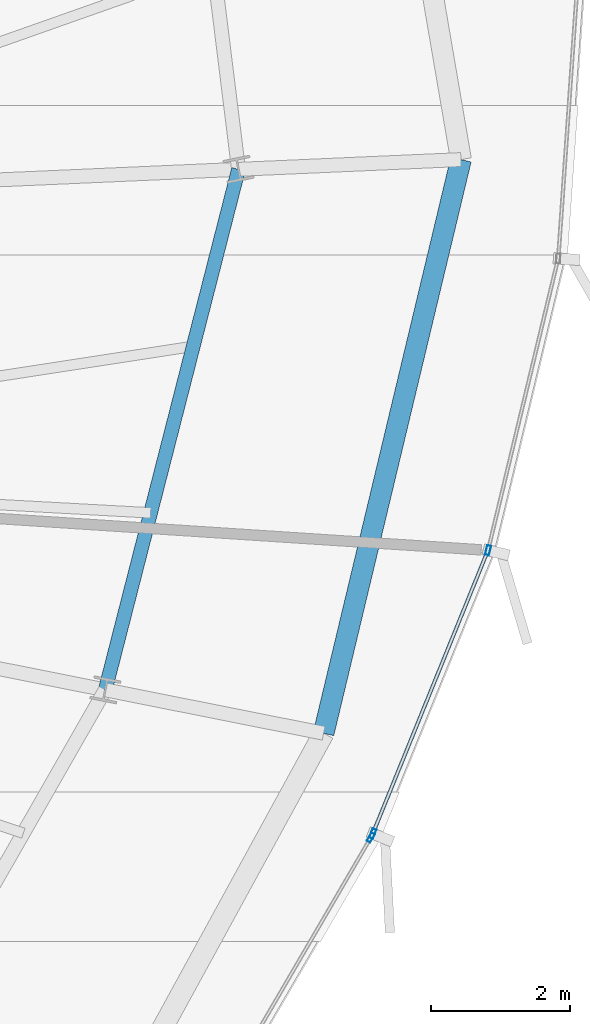
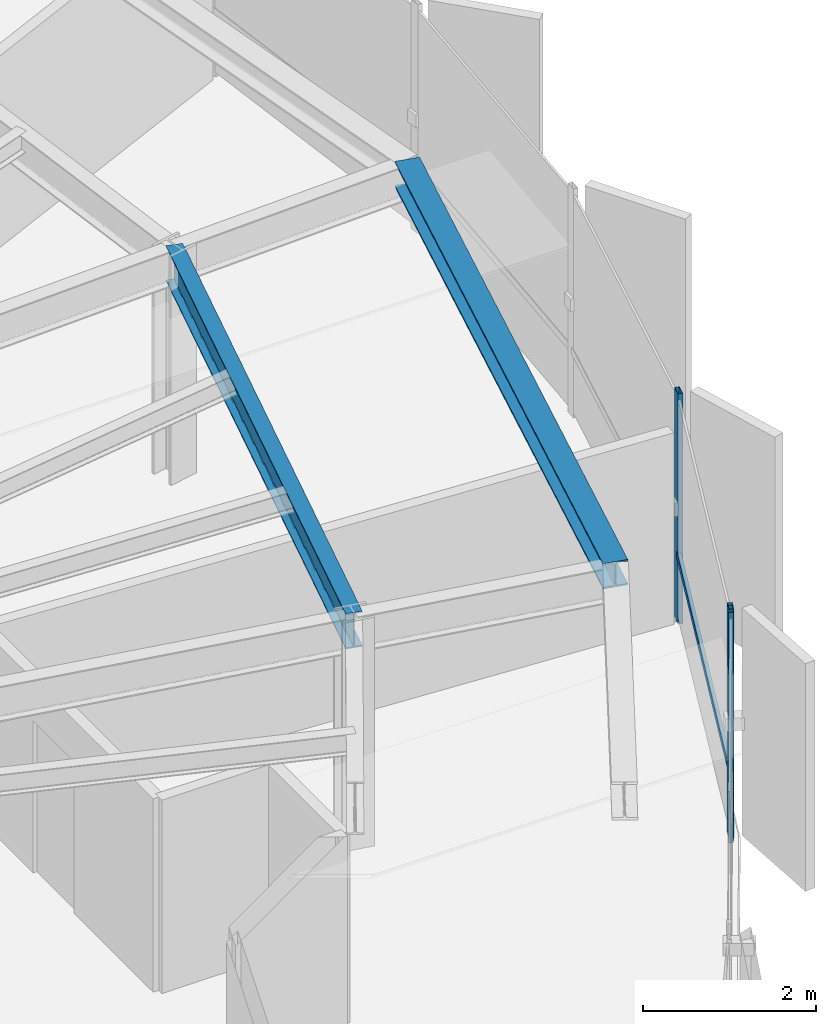
# One storey, part 17 of 35: 4 members, 2 beams, 2 elements without a shape of their own.
"""IFC4 building model written with IfcOpenShell, lengths in metres."""

from ifc_helpers import new_model, si_unit, direction, frame, origin, origin_2d, place, context, subcontext, project, spatial, hollow_rectangle, i_section, extrude, source, transform, mapped, material, layer, layer_set, material_profile, profile_set, type_object, element, aggregate, save


model = new_model("IFC4")

# Units and contexts
model_context = context("Model", 3, precision=1e-05, world=origin(), true_north=direction((0.0, 1.0)))
body_context = subcontext(model_context, "Body", "Model", "MODEL_VIEW")
ifc_project = project(units=[si_unit("LENGTHUNIT", "METRE"), si_unit("AREAUNIT", "SQUARE_METRE"), si_unit("VOLUMEUNIT", "CUBIC_METRE"), si_unit("PLANEANGLEUNIT", "RADIAN"), si_unit("MASSUNIT", "GRAM", prefix="KILO"), si_unit("THERMODYNAMICTEMPERATUREUNIT", "KELVIN")], contexts=[model_context])

# Site, building, storey
site_placement = place(None, origin())
site = spatial("IfcSite", under=ifc_project, at=site_placement, CompositionType="ELEMENT")
building_placement = place(site_placement, origin())
building = spatial("IfcBuilding", under=site, at=building_placement, Name="Kethvar Cultural Tower", CompositionType="ELEMENT")
storey_placement = place(building_placement, frame((0.0, 0.0, 193.89990234375)))
storey = spatial("IfcBuildingStorey", under=building, at=storey_placement, Name="L50", CompositionType="ELEMENT", Elevation=193.89990234375)

# Beams
ifc_material_1 = material(Name="Steel S355J2", Category="steel")
ifc_material_profile_1 = material_profile(ifc_material_1, i_section(OverallWidth=0.199951171875, OverallDepth=0.5, WebThickness=0.01025390625, FlangeThickness=0.01611328125, FilletRadius=0.02099609375, at=origin_2d()), Name="Steel S355J2 — IPE500")
ifc_profile_set_1 = profile_set([ifc_material_profile_1], Name="Steel S355J2 — IPE500")
beam_type_1 = type_object("IfcBeamType", Name="BM-IPE500", PredefinedType="BEAM", material=ifc_profile_set_1)
shared_shape_1 = source(origin(), body_context, "Body", "SweptSolid", [
    extrude(i_section(OverallWidth=0.199951171875, OverallDepth=0.5, WebThickness=0.01025390625, FlangeThickness=0.01611328125, FilletRadius=0.02099609375, at=origin_2d()), origin(), (0.0, 0.0, 1.0), 7.72265625),
])
beam_1_placement = place(storey_placement, frame((64.648681640625, 24.249755859375, 3.008056640625), z_axis=(0.248006445258, 0.968758382214, 0.0), x_axis=(-0.968758382214, 0.248006445258, 0.0)))
element("IfcBeam", 1, at=beam_1_placement, inside=storey, type_object=beam_type_1, Name="L50 Column Ring Tie Beam CR-16", PredefinedType="BEAM", context=body_context, shape_type="MappedRepresentation", body=[
    mapped(shared_shape_1, transform((0.0, 0.0, 0.0), scale=1.0)),
])
ifc_material_profile_2 = material_profile(ifc_material_1, i_section(OverallWidth=0.300048828125, OverallDepth=0.360107421875, WebThickness=0.012451171875, FlangeThickness=0.0224609375, FilletRadius=0.027099609375, at=origin_2d()), Name="Steel S355J2 — HEB360")
ifc_profile_set_2 = profile_set([ifc_material_profile_2], Name="Steel S355J2 — HEB360")
beam_type_2 = type_object("IfcBeamType", Name="BM-SP360", PredefinedType="SPANDREL", material=ifc_profile_set_2)
shared_shape_2 = source(origin(), body_context, "Body", "SweptSolid", [
    extrude(i_section(OverallWidth=0.300048828125, OverallDepth=0.360107421875, WebThickness=0.012451171875, FlangeThickness=0.0224609375, FilletRadius=0.027099609375, at=origin_2d()), origin(), (0.0, 0.0, 1.0), 8.47900390625),
])
beam_2_placement = place(storey_placement, frame((67.787109375, 23.62548828125, 3.078125), z_axis=(0.232794647368, 0.97252591336, 0.0), x_axis=(-0.97252591336, 0.232794647368, 0.0)))
element("IfcBeam", 2, at=beam_2_placement, inside=storey, type_object=beam_type_2, Name="L50 Perimeter Spandrel Beam SP-16", PredefinedType="SPANDREL", context=body_context, shape_type="MappedRepresentation", body=[
    mapped(shared_shape_2, transform((0.0, 0.0, 0.0), scale=1.0)),
])

# Curtain wall, member
ifc_material_2 = material(Name="Aluminium 6063-T6", Category="aluminium")
ifc_layer = layer(ifc_material_2, 0.179931640625, Name="Aluminium 6063-T6", Category="aluminium")
ifc_layer_set = layer_set([ifc_layer], Name="Aluminium 6063-T6 (180 mm)")
curtain_wall_type = type_object("IfcCurtainWallType", Name="CW-SYS-04-Z34", PredefinedType="NOTDEFINED", material=ifc_layer_set)
curtain_wall_1_placement = place(storey_placement, origin())
curtain_wall_1 = element("IfcCurtainWall", 3, at=curtain_wall_1_placement, inside=storey, type_object=curtain_wall_type, Name="L50 Curtain Wall Run 05", PredefinedType="NOTDEFINED")
ifc_material_profile_3 = material_profile(ifc_material_2, hollow_rectangle(XDim=0.06005859375, YDim=0.139892578125, WallThickness=0.0048828125, at=origin_2d()), Name="Aluminium 6063-T6 — RHS140x60x5")
ifc_profile_set_3 = profile_set([ifc_material_profile_3], Name="Aluminium 6063-T6 — RHS140x60x5")
member_type_1 = type_object("IfcMemberType", Name="CW-SYS-04-Z34-MUL", PredefinedType="MULLION", material=ifc_profile_set_3)
shared_shape_3 = source(origin(), body_context, "Body", "SweptSolid", [
    extrude(hollow_rectangle(XDim=0.06005859375, YDim=0.139892578125, WallThickness=0.0048828125, at=origin_2d()), origin(), (0.0, 0.0, 1.0), 3.260009765625),
])
member_1_placement = place(storey_placement, frame((68.4658203125, 22.1259765625, 0.0), z_axis=(0.0, 0.0, 1.0), x_axis=(-0.863694791291, 0.50401518578, 0.0)))
member_1 = element("IfcMember", 4, at=member_1_placement, type_object=member_type_1, Name="CW-L50-R05 Mullion 7", PredefinedType="MULLION", context=body_context, shape_type="MappedRepresentation", body=[
    mapped(shared_shape_3, transform((0.0, 0.0, 0.0), scale=1.0)),
])
aggregate(curtain_wall_1, [member_1])

# Curtain wall, members
curtain_wall_2_placement = place(storey_placement, origin())
curtain_wall_2 = element("IfcCurtainWall", 5, at=curtain_wall_2_placement, inside=storey, type_object=curtain_wall_type, Name="L50 Curtain Wall Run 06", PredefinedType="NOTDEFINED")
member_2_placement = place(storey_placement, frame((68.493408203125, 22.181884765625, 0.0), z_axis=(0.0, 0.0, 1.0), x_axis=(-0.926351236496, 0.376660837681, 0.0)))
member_2 = element("IfcMember", 6, at=member_2_placement, type_object=member_type_1, Name="CW-L50-R06 Mullion 1", PredefinedType="MULLION", context=body_context, shape_type="MappedRepresentation", body=[
    mapped(shared_shape_3, transform((0.0, 0.0, 0.0), scale=1.0)),
])
member_3_placement = place(storey_placement, frame((70.15087890625, 26.25537109375, 0.0), z_axis=(0.0, 0.0, 1.0), x_axis=(-0.972357695894, 0.233496276706, 0.0)))
member_3 = element("IfcMember", 7, at=member_3_placement, type_object=member_type_1, Name="CW-L50-R06 Mullion 2", PredefinedType="MULLION", context=body_context, shape_type="MappedRepresentation", body=[
    mapped(shared_shape_3, transform((0.0, 0.0, 0.0), scale=1.0)),
])
ifc_material_profile_4 = material_profile(ifc_material_2, hollow_rectangle(XDim=0.050048828125, YDim=0.10009765625, WallThickness=0.00390625, at=origin_2d()), Name="Aluminium 6063-T6 — RHS100x50x4")
ifc_profile_set_4 = profile_set([ifc_material_profile_4], Name="Aluminium 6063-T6 — RHS100x50x4")
member_type_2 = type_object("IfcMemberType", Name="CW-SYS-04-Z34-TRN", PredefinedType="USERDEFINED", material=ifc_profile_set_4)
shared_shape_4 = source(origin(), body_context, "Body", "SweptSolid", [
    extrude(hollow_rectangle(XDim=0.050048828125, YDim=0.10009765625, WallThickness=0.00390625, at=origin_2d()), origin(), (0.0, 0.0, 1.0), 4.36669921875),
])
member_4_placement = place(storey_placement, frame((68.494873046875, 22.185791015625, 0.9501953125), z_axis=(0.37665746404, 0.926352608235, 0.0), x_axis=(-0.926352608235, 0.37665746404, 0.0)))
member_4 = element("IfcMember", 8, at=member_4_placement, type_object=member_type_2, Name="CW-L50-R06 Transom 1", ObjectType="TRANSOM", PredefinedType="USERDEFINED", context=body_context, shape_type="MappedRepresentation", body=[
    mapped(shared_shape_4, transform((0.0, 0.0, 0.0), scale=1.0)),
])
aggregate(curtain_wall_2, [member_2, member_3, member_4])

save(model, "model.ifc")
